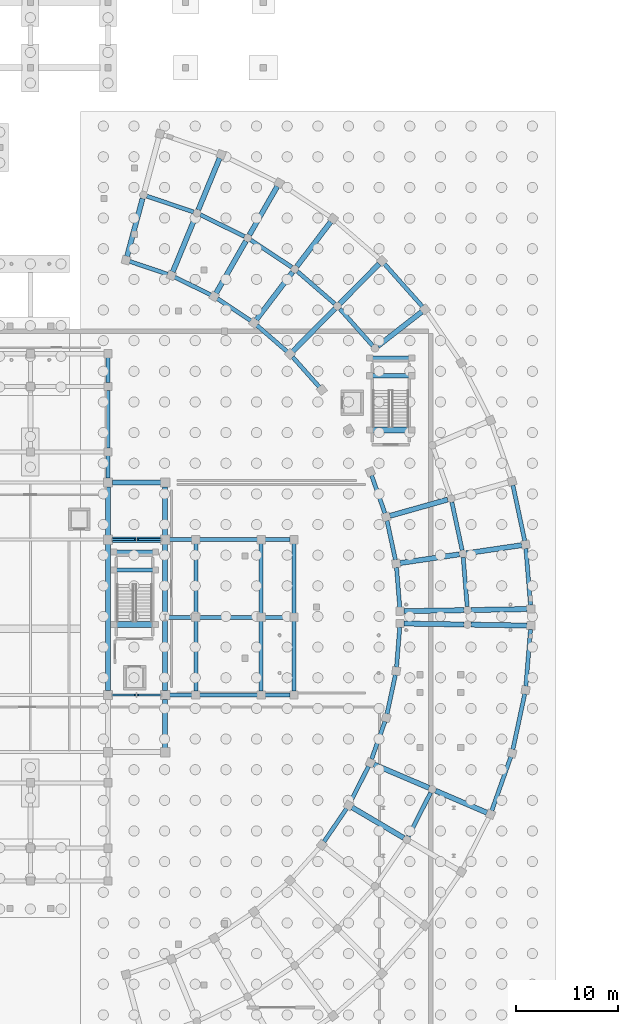
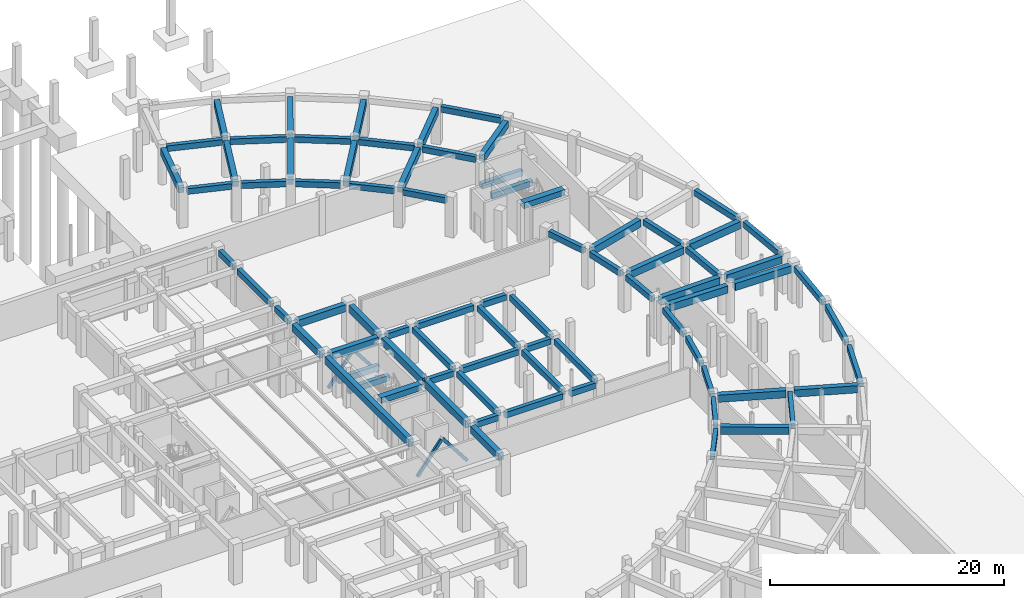
# One storey, part 20 of 33: 79 beams, 4 members.
"""IFC4 building model written with IfcOpenShell, lengths in metres."""

from ifc_helpers import new_model, si_unit, direction, frame, origin, origin_2d, place, context, subcontext, project, spatial, rectangle, hollow_rectangle, extrude, material, material_profile, profile_set, type_object, element, save


model = new_model("IFC4")

# Units and contexts
model_context = context("Model", 3, precision=1e-05, world=origin(), true_north=direction((0.0, 1.0)))
body_context = subcontext(model_context, "Body", "Model", "MODEL_VIEW")
ifc_project = project(units=[si_unit("LENGTHUNIT", "METRE"), si_unit("AREAUNIT", "SQUARE_METRE"), si_unit("VOLUMEUNIT", "CUBIC_METRE"), si_unit("PLANEANGLEUNIT", "RADIAN"), si_unit("MASSUNIT", "GRAM", prefix="KILO")], contexts=[model_context])

# Site, building, storey
site_placement = place(None, origin())
site = spatial("IfcSite", under=ifc_project, at=site_placement, CompositionType="ELEMENT")
building_placement = place(site_placement, origin())
building = spatial("IfcBuilding", under=site, at=building_placement, Name="Saryqyr Civic Hall", CompositionType="ELEMENT")
storey_placement = place(building_placement, frame((0.0, 0.0, -4.199951171875)))
storey = spatial("IfcBuildingStorey", under=building, at=storey_placement, Name="B1", CompositionType="ELEMENT", Elevation=-4.199951171875)

# Beams
ifc_material_1 = material(Name="Concrete C35/45", Category="concrete")
ifc_material_profile_1 = material_profile(ifc_material_1, rectangle(XDim=0.39990234375, YDim=0.60009765625, at=origin_2d()), Name="RC 400x600")
ifc_profile_set_1 = profile_set([ifc_material_profile_1], Name="Concrete C35/45")
beam_type_1 = type_object("IfcBeamType", Name="STR-BM-RC400x600", PredefinedType="BEAM", material=ifc_profile_set_1)
for number, where, z_axis, x_axis, name in (
    (1, (79.97509765625, 76.39990234375, 3.579833984375), (1.0, 0.0, 0.0), (0.0, 1.0, 0.0), "Beam V1-TBM-04-B1"),
    (2, (79.97509765625, 84.0, 3.579833984375), (1.0, 0.0, 0.0), (0.0, 1.0, 0.0), "Beam V1-TBM-05-B1"),
    (3, (79.97509765625, 91.60009765625, 3.579833984375), (1.0, 0.0, 0.0), (0.0, 1.0, 0.0), "Beam V1-TBM-06-B1"),
    (4, (64.60009765625, 106.97509765625, 3.579833984375), (0.0, 1.0, 0.0), (-1.0, 0.0, 0.0), "Beam V1-TBM-12-B1"),
):
    element("IfcBeam", number, at=place(storey_placement, frame(where, z_axis=z_axis, x_axis=x_axis)), inside=storey, type_object=beam_type_1, Name=name, PredefinedType="BEAM", context=body_context, shape_type="SweptSolid", body=[
        extrude(rectangle(XDim=0.39990234375, YDim=0.60009765625, at=origin_2d()), origin(), (0.0, 0.0, 1.0), 2.449951171875),
    ])
for number, where, z_axis, x_axis, name in (
    (5, (82.800048828125, 76.77490234375, 3.579833984375), (0.0, 1.0, 0.0), (-1.0, 0.0, 0.0), "Beam V1-TBM-15-B1"),
    (6, (82.800048828125, 84.375, 3.579833984375), (0.0, 1.0, 0.0), (-1.0, 0.0, 0.0), "Beam V1-TBM-16-B1"),
):
    element("IfcBeam", number, at=place(storey_placement, frame(where, z_axis=z_axis, x_axis=x_axis)), inside=storey, type_object=beam_type_1, Name=name, PredefinedType="BEAM", context=body_context, shape_type="SweptSolid", body=[
        extrude(rectangle(XDim=0.39990234375, YDim=0.60009765625, at=origin_2d()), origin(), (0.0, 0.0, 1.0), 6.85009765625),
    ])
for number, where, z_axis, x_axis, name in (
    (7, (73.574951171875, 76.39990234375, 3.579833984375), (1.0, 0.0, 0.0), (0.0, 1.0, 0.0), "Beam V1-TBM-24-B1"),
    (8, (73.574951171875, 84.0, 3.579833984375), (1.0, 0.0, 0.0), (0.0, 1.0, 0.0), "Beam V1-TBM-25-B1"),
    (9, (73.574951171875, 91.60009765625, 3.579833984375), (1.0, 0.0, 0.0), (0.0, 1.0, 0.0), "Beam V1-TBM-26-B1"),
    (10, (64.60009765625, 100.574951171875, 3.579833984375), (0.0, 1.0, 0.0), (-1.0, 0.0, 0.0), "Beam V1-TBM-32-B1"),
):
    element("IfcBeam", number, at=place(storey_placement, frame(where, z_axis=z_axis, x_axis=x_axis)), inside=storey, type_object=beam_type_1, Name=name, PredefinedType="BEAM", context=body_context, shape_type="SweptSolid", body=[
        extrude(rectangle(XDim=0.39990234375, YDim=0.60009765625, at=origin_2d()), origin(), (0.0, 0.0, 1.0), 5.650146484375),
    ])
for number, where, z_axis, x_axis, name in (
    (11, (79.60009765625, 76.77490234375, 3.579833984375), (0.0, 1.0, 0.0), (-1.0, 0.0, 0.0), "Beam V1-TBM-35-B1"),
    (12, (79.60009765625, 84.375, 3.579833984375), (0.0, 1.0, 0.0), (-1.0, 0.0, 0.0), "Beam V1-TBM-36-B1"),
):
    element("IfcBeam", number, at=place(storey_placement, frame(where, z_axis=z_axis, x_axis=x_axis)), inside=storey, type_object=beam_type_1, Name=name, PredefinedType="BEAM", context=body_context, shape_type="SweptSolid", body=[
        extrude(rectangle(XDim=0.39990234375, YDim=0.60009765625, at=origin_2d()), origin(), (0.0, 0.0, 1.0), 6.85009765625),
    ])
beam_1_placement = place(storey_placement, frame((70.625, 76.39990234375, 3.579833984375), z_axis=(1.0, 0.0, 0.0), x_axis=(0.0, 1.0, 0.0)))
element("IfcBeam", 13, at=beam_1_placement, inside=storey, type_object=beam_type_1, Name="Beam V1-TBM-44-B1", PredefinedType="BEAM", context=body_context, shape_type="SweptSolid", body=[
    extrude(rectangle(XDim=0.39990234375, YDim=0.60009765625, at=origin_2d()), origin(), (0.0, 0.0, 1.0), 2.199951171875),
])
beam_2_placement = place(storey_placement, frame((70.324951171875, 84.0, 3.579833984375), z_axis=(1.0, 0.0, 0.0), x_axis=(0.0, 1.0, 0.0)))
element("IfcBeam", 14, at=beam_2_placement, inside=storey, type_object=beam_type_1, Name="Beam V1-TBM-45-B1", PredefinedType="BEAM", context=body_context, shape_type="SweptSolid", body=[
    extrude(rectangle(XDim=0.39990234375, YDim=0.60009765625, at=origin_2d()), origin(), (0.0, 0.0, 1.0), 2.5),
])
for number, where, z_axis, x_axis, name in (
    (15, (70.625, 91.60009765625, 3.579833984375), (1.0, 0.0, 0.0), (0.0, 1.0, 0.0), "Beam V1-TBM-46-B1"),
    (16, (64.60009765625, 97.625, 3.579833984375), (0.0, 1.0, 0.0), (-1.0, 0.0, 0.0), "Beam V1-TBM-50-B1"),
):
    element("IfcBeam", number, at=place(storey_placement, frame(where, z_axis=z_axis, x_axis=x_axis)), inside=storey, type_object=beam_type_1, Name=name, PredefinedType="BEAM", context=body_context, shape_type="SweptSolid", body=[
        extrude(rectangle(XDim=0.39990234375, YDim=0.60009765625, at=origin_2d()), origin(), (0.0, 0.0, 1.0), 2.199951171875),
    ])
for number, where, z_axis, x_axis, name in (
    (17, (73.199951171875, 76.77490234375, 3.579833984375), (0.0, 1.0, 0.0), (-1.0, 0.0, 0.0), "Beam V1-TBM-53-B1"),
    (18, (73.199951171875, 84.375, 3.579833984375), (0.0, 1.0, 0.0), (-1.0, 0.0, 0.0), "Beam V1-TBM-54-B1"),
):
    element("IfcBeam", number, at=place(storey_placement, frame(where, z_axis=z_axis, x_axis=x_axis)), inside=storey, type_object=beam_type_1, Name=name, PredefinedType="BEAM", context=body_context, shape_type="SweptSolid", body=[
        extrude(rectangle(XDim=0.39990234375, YDim=0.60009765625, at=origin_2d()), origin(), (0.0, 0.0, 1.0), 6.85009765625),
    ])
beam_3_placement = place(storey_placement, frame((94.009521484375, 62.54443359375, 3.579833984375), z_axis=(0.4519004071, 0.892068395395, 0.0), x_axis=(-0.892068395395, 0.4519004071, 0.0)))
element("IfcBeam", 19, at=beam_3_placement, inside=storey, type_object=beam_type_1, Name="Beam V5-CBM-MID06-B1", PredefinedType="BEAM", context=body_context, shape_type="SweptSolid", body=[
    extrude(rectangle(XDim=0.39990234375, YDim=0.60009765625, at=origin_2d()), origin(), (0.0, 0.0, 1.0), 4.82763671875),
])
beam_4_placement = place(storey_placement, frame((99.765625, 85.058349609375, 3.579833984375), z_axis=(-0.081061627259, 0.996709091253, 0.0), x_axis=(-0.996709091253, -0.081061627259, 0.0)))
element("IfcBeam", 20, at=beam_4_placement, inside=storey, type_object=beam_type_1, Name="Beam V6-CBM-MID00-B1", PredefinedType="BEAM", context=body_context, shape_type="SweptSolid", body=[
    extrude(rectangle(XDim=0.39990234375, YDim=0.60009765625, at=origin_2d()), origin(), (0.0, 0.0, 1.0), 4.827880859375),
])
beam_5_placement = place(storey_placement, frame((99.272705078125, 90.561279296875, 3.579833984375), z_axis=(-0.208907397295, 0.977935426987, 0.0), x_axis=(-0.977935426987, -0.208907397295, 0.0)))
element("IfcBeam", 21, at=beam_5_placement, inside=storey, type_object=beam_type_1, Name="Beam V6-CBM-MID01-B1", PredefinedType="BEAM", context=body_context, shape_type="SweptSolid", body=[
    extrude(rectangle(XDim=0.39990234375, YDim=0.60009765625, at=origin_2d()), origin(), (0.0, 0.0, 1.0), 4.82763671875),
])
beam_6_placement = place(storey_placement, frame((90.505615234375, 110.596923828125, 3.579833984375), z_axis=(-0.664931763448, 0.746904110284, 0.0), x_axis=(-0.746904110284, -0.664931763448, 0.0)))
element("IfcBeam", 22, at=beam_6_placement, inside=storey, type_object=beam_type_1, Name="Beam V6-CBM-MID05-B1", PredefinedType="BEAM", context=body_context, shape_type="SweptSolid", body=[
    extrude(rectangle(XDim=0.39990234375, YDim=0.60009765625, at=origin_2d()), origin(), (0.0, 0.0, 1.0), 4.827880859375),
])
for number, where, z_axis, x_axis, name in (
    (23, (86.79833984375, 114.693359375, 3.579833984375), (-0.755632347986, 0.654995995925, 0.0), (-0.654995995925, -0.755632347986, 0.0), "Beam V6-CBM-MID06-B1"),
    (24, (82.593994140625, 118.27783203125, 3.579833984375), (-0.833757954483, 0.552130123555, 0.0), (-0.552130123555, -0.833757954483, 0.0), "Beam V6-CBM-MID07-B1"),
    (25, (77.962646484375, 121.29052734375, 3.579833984375), (-0.897959126553, 0.440078864568, 0.0), (-0.440078864568, -0.897959126553, 0.0), "Beam V6-CBM-MID08-B1"),
    (26, (72.981689453125, 123.681396484375, 3.579833984375), (-0.947191159228, 0.320669468268, 0.0), (-0.320669468268, -0.947191159228, 0.0), "Beam V6-CBM-MID09-B1"),
):
    element("IfcBeam", number, at=place(storey_placement, frame(where, z_axis=z_axis, x_axis=x_axis)), inside=storey, type_object=beam_type_1, Name=name, PredefinedType="BEAM", context=body_context, shape_type="SweptSolid", body=[
        extrude(rectangle(XDim=0.39990234375, YDim=0.60009765625, at=origin_2d()), origin(), (0.0, 0.0, 1.0), 4.82763671875),
    ])
for number, where, z_axis, x_axis, name in (
    (27, (69.199951171875, 88.64990234375, 1.599853515625), (-1.0, 0.0, 0.0), (0.0, -1.0, 0.0), "Stair half-landing support beam ST-2-LND1-B1"),
    (28, (69.199951171875, 90.3798828125, 1.599853515625), (-1.0, 0.0, 0.0), (0.0, -1.0, 0.0), "Stair half-landing support beam ST-2-LND2-B1"),
):
    element("IfcBeam", number, at=place(storey_placement, frame(where, z_axis=z_axis, x_axis=x_axis)), inside=storey, type_object=beam_type_1, Name=name, PredefinedType="BEAM", context=body_context, shape_type="SweptSolid", body=[
        extrude(rectangle(XDim=0.39990234375, YDim=0.60009765625, at=origin_2d()), origin(), (0.0, 0.0, 1.0), 4.0),
    ])
for number, where, z_axis, x_axis, name in (
    (29, (94.300048828125, 107.64990234375, 1.599853515625), (-1.0, 0.0, 0.0), (0.0, -1.0, 0.0), "Stair half-landing support beam ST-6-LND1-B1"),
    (30, (94.300048828125, 109.3798828125, 1.599853515625), (-1.0, 0.0, 0.0), (0.0, -1.0, 0.0), "Stair half-landing support beam ST-6-LND2-B1"),
):
    element("IfcBeam", number, at=place(storey_placement, frame(where, z_axis=z_axis, x_axis=x_axis)), inside=storey, type_object=beam_type_1, Name=name, PredefinedType="BEAM", context=body_context, shape_type="SweptSolid", body=[
        extrude(rectangle(XDim=0.39990234375, YDim=0.60009765625, at=origin_2d()), origin(), (0.0, 0.0, 1.0), 4.0400390625),
    ])
ifc_material_profile_2 = material_profile(ifc_material_1, rectangle(XDim=0.39990234375, YDim=0.60009765625, at=origin_2d()), Name="RC 400x600")
ifc_profile_set_2 = profile_set([ifc_material_profile_2], Name="Concrete C35/45")
beam_type_2 = type_object("IfcBeamType", Name="STR-BM-RC400x600-EXT", PredefinedType="BEAM", material=ifc_profile_set_2)
for number, where, z_axis, x_axis, name in (
    (31, (85.746826171875, 62.035400390625, 3.579833984375), (0.563139950925, 0.826361540533, 0.0), (-0.826361540533, 0.563139950925, 0.0), "Beam V5-CBM-IN05-B1"),
    (32, (88.337890625, 65.923583984375, 3.579833984375), (0.451934437164, 0.892051155767, 0.0), (-0.892051155767, 0.451934437164, 0.0), "Beam V5-CBM-IN06-B1"),
    (33, (90.40625, 70.11328125, 3.579833984375), (0.33324952701, 0.942838667402, 0.0), (-0.942838667402, 0.33324952701, 0.0), "Beam V5-CBM-IN07-B1"),
):
    element("IfcBeam", number, at=place(storey_placement, frame(where, z_axis=z_axis, x_axis=x_axis)), inside=storey, type_object=beam_type_2, Name=name, PredefinedType="BEAM", context=body_context, shape_type="SweptSolid", body=[
        extrude(rectangle(XDim=0.39990234375, YDim=0.60009765625, at=origin_2d()), origin(), (0.0, 0.0, 1.0), 3.92529296875),
    ])
beam_7_placement = place(storey_placement, frame((102.17431640625, 65.077880859375, 3.579833984375), z_axis=(0.33321840695, 0.942849666315, 0.0), x_axis=(-0.942849666315, 0.33321840695, 0.0)))
element("IfcBeam", 34, at=beam_7_placement, inside=storey, type_object=beam_type_2, Name="Beam V5-CBM-OUT07-B1", PredefinedType="BEAM", context=body_context, shape_type="SweptSolid", body=[
    extrude(rectangle(XDim=0.39990234375, YDim=0.60009765625, at=origin_2d()), origin(), (0.0, 0.0, 1.0), 5.57861328125),
])
beam_8_placement = place(storey_placement, frame((91.91748046875, 74.534423828125, 3.579833984375), z_axis=(0.208908929035, 0.977935099774, 0.0), x_axis=(-0.977935099774, 0.208908929035, 0.0)))
element("IfcBeam", 35, at=beam_8_placement, inside=storey, type_object=beam_type_2, Name="Beam V5-CBM-IN08-B1", PredefinedType="BEAM", context=body_context, shape_type="SweptSolid", body=[
    extrude(rectangle(XDim=0.39990234375, YDim=0.60009765625, at=origin_2d()), origin(), (0.0, 0.0, 1.0), 3.925537109375),
])
beam_9_placement = place(storey_placement, frame((104.236328125, 71.057861328125, 3.579833984375), z_axis=(0.208892417371, 0.977938626891, 0.0), x_axis=(-0.977938626891, 0.208892417371, 0.0)))
element("IfcBeam", 36, at=beam_9_placement, inside=storey, type_object=beam_type_2, Name="Beam V5-CBM-OUT08-B1", PredefinedType="BEAM", context=body_context, shape_type="SweptSolid", body=[
    extrude(rectangle(XDim=0.39990234375, YDim=0.60009765625, at=origin_2d()), origin(), (0.0, 0.0, 1.0), 5.578369140625),
])
beam_10_placement = place(storey_placement, frame((92.84619140625, 79.11376953125, 3.579833984375), z_axis=(0.081109806781, 0.996705171675, 0.0), x_axis=(-0.996705171675, 0.081109806781, 0.0)))
element("IfcBeam", 37, at=beam_10_placement, inside=storey, type_object=beam_type_2, Name="Beam V5-CBM-IN09-B1", PredefinedType="BEAM", context=body_context, shape_type="SweptSolid", body=[
    extrude(rectangle(XDim=0.39990234375, YDim=0.60009765625, at=origin_2d()), origin(), (0.0, 0.0, 1.0), 3.925048828125),
])
beam_11_placement = place(storey_placement, frame((105.510498046875, 77.25390625, 3.579833984375), z_axis=(0.081100255709, 0.996705948876, 0.0), x_axis=(-0.996705948876, 0.081100255709, 0.0)))
element("IfcBeam", 38, at=beam_11_placement, inside=storey, type_object=beam_type_2, Name="Beam V5-CBM-OUT09-B1", PredefinedType="BEAM", context=body_context, shape_type="SweptSolid", body=[
    extrude(rectangle(XDim=0.39990234375, YDim=0.60009765625, at=origin_2d()), origin(), (0.0, 0.0, 1.0), 5.578125),
])
beam_12_placement = place(storey_placement, frame((93.16455078125, 84.97412109375, 3.579833984375), z_axis=(-0.081109806781, 0.996705171675, 0.0), x_axis=(-0.996705171675, -0.081109806781, 0.0)))
element("IfcBeam", 39, at=beam_12_placement, inside=storey, type_object=beam_type_2, Name="Beam V6-CBM-IN00-B1", PredefinedType="BEAM", context=body_context, shape_type="SweptSolid", body=[
    extrude(rectangle(XDim=0.39990234375, YDim=0.60009765625, at=origin_2d()), origin(), (0.0, 0.0, 1.0), 3.925048828125),
])
beam_13_placement = place(storey_placement, frame((105.962890625, 85.186279296875, 3.579833984375), z_axis=(-0.081100255709, 0.996705948876, 0.0), x_axis=(-0.996705948876, -0.081100255709, 0.0)))
element("IfcBeam", 40, at=beam_13_placement, inside=storey, type_object=beam_type_2, Name="Beam V6-CBM-OUT00-B1", PredefinedType="BEAM", context=body_context, shape_type="SweptSolid", body=[
    extrude(rectangle(XDim=0.39990234375, YDim=0.60009765625, at=origin_2d()), origin(), (0.0, 0.0, 1.0), 5.578125),
])
beam_14_placement = place(storey_placement, frame((92.737548828125, 89.626708984375, 3.579833984375), z_axis=(-0.208908929035, 0.977935099774, 0.0), x_axis=(-0.977935099774, -0.208908929035, 0.0)))
element("IfcBeam", 41, at=beam_14_placement, inside=storey, type_object=beam_type_2, Name="Beam V6-CBM-IN01-B1", PredefinedType="BEAM", context=body_context, shape_type="SweptSolid", body=[
    extrude(rectangle(XDim=0.39990234375, YDim=0.60009765625, at=origin_2d()), origin(), (0.0, 0.0, 1.0), 3.925537109375),
])
beam_15_placement = place(storey_placement, frame((105.401611328125, 91.48681640625, 3.579833984375), z_axis=(-0.208892417371, 0.977938626891, 0.0), x_axis=(-0.977938626891, -0.208892417371, 0.0)))
element("IfcBeam", 42, at=beam_15_placement, inside=storey, type_object=beam_type_2, Name="Beam V6-CBM-OUT01-B1", PredefinedType="BEAM", context=body_context, shape_type="SweptSolid", body=[
    extrude(rectangle(XDim=0.39990234375, YDim=0.60009765625, at=origin_2d()), origin(), (0.0, 0.0, 1.0), 5.578369140625),
])
for number, where, z_axis, x_axis, name in (
    (43, (91.71435546875, 94.185791015625, 3.579833984375), (-0.33324952701, 0.942838667402, 0.0), (-0.942838667402, -0.33324952701, 0.0), "Beam V6-CBM-IN02-B1"),
    (44, (85.286376953125, 106.5546875, 3.579833984375), (-0.664962016437, 0.746877176446, 0.0), (-0.746877176446, -0.664962016437, 0.0), "Beam V6-CBM-IN05-B1"),
):
    element("IfcBeam", number, at=place(storey_placement, frame(where, z_axis=z_axis, x_axis=x_axis)), inside=storey, type_object=beam_type_2, Name=name, PredefinedType="BEAM", context=body_context, shape_type="SweptSolid", body=[
        extrude(rectangle(XDim=0.39990234375, YDim=0.60009765625, at=origin_2d()), origin(), (0.0, 0.0, 1.0), 3.92529296875),
    ])
beam_16_placement = place(storey_placement, frame((95.376220703125, 114.4306640625, 3.579833984375), z_axis=(-0.664931393167, 0.746904439926, 0.0), x_axis=(-0.746904439926, -0.664931393167, 0.0)))
element("IfcBeam", 45, at=beam_16_placement, inside=storey, type_object=beam_type_2, Name="Beam V6-CBM-OUT05-B1", PredefinedType="BEAM", context=body_context, shape_type="SweptSolid", body=[
    extrude(rectangle(XDim=0.39990234375, YDim=0.60009765625, at=origin_2d()), origin(), (0.0, 0.0, 1.0), 5.578369140625),
])
beam_17_placement = place(storey_placement, frame((82.1435546875, 110.01220703125, 3.579833984375), z_axis=(-0.755662402658, 0.654961321919, 0.0), x_axis=(-0.654961321919, -0.755662402658, 0.0)))
element("IfcBeam", 46, at=beam_17_placement, inside=storey, type_object=beam_type_2, Name="Beam V6-CBM-IN06-B1", PredefinedType="BEAM", context=body_context, shape_type="SweptSolid", body=[
    extrude(rectangle(XDim=0.39990234375, YDim=0.60009765625, at=origin_2d()), origin(), (0.0, 0.0, 1.0), 3.925048828125),
])
for number, where, z_axis, x_axis, name in (
    (47, (78.581298828125, 113.03564453125, 3.579833984375), (-0.83375915451, 0.55212831142, 0.0), (-0.55212831142, -0.83375915451, 0.0), "Beam V6-CBM-IN07-B1"),
    (48, (74.6591796875, 115.574951171875, 3.579833984375), (-0.897944339492, 0.440109035551, 0.0), (-0.440109035551, -0.897944339492, 0.0), "Beam V6-CBM-IN08-B1"),
    (49, (70.4423828125, 117.587646484375, 3.579833984375), (-0.947205217556, 0.320627939885, 0.0), (-0.320627939885, -0.947205217556, 0.0), "Beam V6-CBM-IN09-B1"),
):
    element("IfcBeam", number, at=place(storey_placement, frame(where, z_axis=z_axis, x_axis=x_axis)), inside=storey, type_object=beam_type_2, Name=name, PredefinedType="BEAM", context=body_context, shape_type="SweptSolid", body=[
        extrude(rectangle(XDim=0.39990234375, YDim=0.60009765625, at=origin_2d()), origin(), (0.0, 0.0, 1.0), 3.92529296875),
    ])
ifc_material_2 = material(Name="Concrete C40/50", Category="concrete")
ifc_material_profile_3 = material_profile(ifc_material_2, rectangle(XDim=0.5, YDim=0.75, at=origin_2d()), Name="RC 500x750")
ifc_profile_set_3 = profile_set([ifc_material_profile_3], Name="Concrete C40/50")
beam_type_3 = type_object("IfcBeamType", Name="STR-BM-RC500x750", PredefinedType="BEAM", material=ifc_profile_set_3)
for number, where, z_axis, x_axis, name in (
    (50, (65.02490234375, 91.60009765625, 3.5048828125), (1.0, 0.0, 0.0), (0.0, 1.0, 0.0), "Beam V1-WBM-E3-B1"),
    (51, (65.02490234375, 97.199951171875, 3.5048828125), (1.0, 0.0, 0.0), (0.0, 1.0, 0.0), "Beam V1-WBM-E4-B1"),
):
    element("IfcBeam", number, at=place(storey_placement, frame(where, z_axis=z_axis, x_axis=x_axis)), inside=storey, type_object=beam_type_3, Name=name, PredefinedType="BEAM", context=body_context, shape_type="SweptSolid", body=[
        extrude(rectangle(XDim=0.5, YDim=0.75, at=origin_2d()), origin(), (0.0, 0.0, 1.0), 4.75),
    ])
beam_18_placement = place(storey_placement, frame((64.60009765625, 76.824951171875, 3.5048828125), z_axis=(0.0, 1.0, 0.0), x_axis=(-1.0, 0.0, 0.0)))
element("IfcBeam", 52, at=beam_18_placement, inside=storey, type_object=beam_type_3, Name="Beam V1-BM-NS32-B1", PredefinedType="BEAM", context=body_context, shape_type="SweptSolid", body=[
    extrude(rectangle(XDim=0.5, YDim=0.75, at=origin_2d()), origin(), (0.0, 0.0, 1.0), 14.35009765625),
])
for number, where, z_axis, x_axis, name in (
    (53, (64.60009765625, 92.02490234375, 3.5048828125), (0.0, 1.0, 0.0), (-1.0, 0.0, 0.0), "Beam V1-BM-NS33-B1"),
    (54, (70.199951171875, 71.22509765625, 3.5048828125), (0.0, 1.0, 0.0), (-1.0, 0.0, 0.0), "Beam V1-BM-NS41-B1"),
):
    element("IfcBeam", number, at=place(storey_placement, frame(where, z_axis=z_axis, x_axis=x_axis)), inside=storey, type_object=beam_type_3, Name=name, PredefinedType="BEAM", context=body_context, shape_type="SweptSolid", body=[
        extrude(rectangle(XDim=0.5, YDim=0.75, at=origin_2d()), origin(), (0.0, 0.0, 1.0), 4.75),
    ])
for number, where, z_axis, x_axis, name in (
    (55, (70.199951171875, 76.824951171875, 3.5048828125), (0.0, 1.0, 0.0), (-1.0, 0.0, 0.0), "Beam V1-BM-NS4A-B1"),
    (56, (70.199951171875, 84.125, 3.5048828125), (0.0, 1.0, 0.0), (-1.0, 0.0, 0.0), "Beam V1-BM-NS4B-B1"),
):
    element("IfcBeam", number, at=place(storey_placement, frame(where, z_axis=z_axis, x_axis=x_axis)), inside=storey, type_object=beam_type_3, Name=name, PredefinedType="BEAM", context=body_context, shape_type="SweptSolid", body=[
        extrude(rectangle(XDim=0.5, YDim=0.75, at=origin_2d()), origin(), (0.0, 0.0, 1.0), 7.050048828125),
    ])
beam_19_placement = place(storey_placement, frame((70.199951171875, 92.02490234375, 3.5048828125), z_axis=(0.0, 1.0, 0.0), x_axis=(-1.0, 0.0, 0.0)))
element("IfcBeam", 57, at=beam_19_placement, inside=storey, type_object=beam_type_3, Name="Beam V1-BM-NS43-B1", PredefinedType="BEAM", context=body_context, shape_type="SweptSolid", body=[
    extrude(rectangle(XDim=0.5, YDim=0.75, at=origin_2d()), origin(), (0.0, 0.0, 1.0), 4.75),
])
beam_20_placement = place(storey_placement, frame((88.491455078125, 65.398193359375, 3.5048828125), z_axis=(0.861018346763, -0.508573894864, 0.0), x_axis=(0.508573894864, 0.861018346763, 0.0)))
element("IfcBeam", 58, at=beam_20_placement, inside=storey, type_object=beam_type_3, Name="Beam V5-RBM-A06-B1", PredefinedType="BEAM", context=body_context, shape_type="SweptSolid", body=[
    extrude(rectangle(XDim=0.5, YDim=0.75, at=origin_2d()), origin(), (0.0, 0.0, 1.0), 5.874755859375),
])
beam_21_placement = place(storey_placement, frame((90.626220703125, 69.612060546875, 3.5048828125), z_axis=(0.919381302824, -0.393367538082, 0.0), x_axis=(0.393367538082, 0.919381302824, 0.0)))
element("IfcBeam", 59, at=beam_21_placement, inside=storey, type_object=beam_type_3, Name="Beam V5-RBM-A07-B1", PredefinedType="BEAM", context=body_context, shape_type="SweptSolid", body=[
    extrude(rectangle(XDim=0.5, YDim=0.75, at=origin_2d()), origin(), (0.0, 0.0, 1.0), 5.875),
])
beam_22_placement = place(storey_placement, frame((96.671142578125, 67.025634765625, 3.5048828125), z_axis=(0.91936861433, -0.393397192396, 0.0), x_axis=(0.393397192396, 0.91936861433, 0.0)))
element("IfcBeam", 60, at=beam_22_placement, inside=storey, type_object=beam_type_3, Name="Beam V5-RBM-B07-B1", PredefinedType="BEAM", context=body_context, shape_type="SweptSolid", body=[
    extrude(rectangle(XDim=0.5, YDim=0.75, at=origin_2d()), origin(), (0.0, 0.0, 1.0), 5.474853515625),
])
beam_23_placement = place(storey_placement, frame((93.56982421875, 83.3935546875, 3.5048828125), z_axis=(0.999862532862, -0.016580572321, 0.0), x_axis=(0.016580572321, 0.999862532862, 0.0)))
element("IfcBeam", 61, at=beam_23_placement, inside=storey, type_object=beam_type_3, Name="Beam V5-RBM-A10-B1", PredefinedType="BEAM", context=body_context, shape_type="SweptSolid", body=[
    extrude(rectangle(XDim=0.5, YDim=0.75, at=origin_2d()), origin(), (0.0, 0.0, 1.0), 5.875),
])
beam_24_placement = place(storey_placement, frame((100.14404296875, 83.28466796875, 3.5048828125), z_axis=(0.999862412553, -0.01658782578, 0.0), x_axis=(0.01658782578, 0.999862412553, 0.0)))
element("IfcBeam", 62, at=beam_24_placement, inside=storey, type_object=beam_type_3, Name="Beam V5-RBM-B10-B1", PredefinedType="BEAM", context=body_context, shape_type="SweptSolid", body=[
    extrude(rectangle(XDim=0.5, YDim=0.75, at=origin_2d()), origin(), (0.0, 0.0, 1.0), 5.47509765625),
])
beam_25_placement = place(storey_placement, frame((93.56982421875, 84.6064453125, 3.5048828125), z_axis=(0.999862532862, 0.016580572321, 0.0), x_axis=(-0.016580572321, 0.999862532862, 0.0)))
element("IfcBeam", 63, at=beam_25_placement, inside=storey, type_object=beam_type_3, Name="Beam V6-RBM-A00-B1", PredefinedType="BEAM", context=body_context, shape_type="SweptSolid", body=[
    extrude(rectangle(XDim=0.5, YDim=0.75, at=origin_2d()), origin(), (0.0, 0.0, 1.0), 5.875),
])
beam_26_placement = place(storey_placement, frame((100.14404296875, 84.71533203125, 3.5048828125), z_axis=(0.999862412553, 0.01658782578, 0.0), x_axis=(-0.01658782578, 0.999862412553, 0.0)))
element("IfcBeam", 64, at=beam_26_placement, inside=storey, type_object=beam_type_3, Name="Beam V6-RBM-B00-B1", PredefinedType="BEAM", context=body_context, shape_type="SweptSolid", body=[
    extrude(rectangle(XDim=0.5, YDim=0.75, at=origin_2d()), origin(), (0.0, 0.0, 1.0), 5.47509765625),
])
beam_27_placement = place(storey_placement, frame((93.186767578125, 89.314697265625, 3.5048828125), z_axis=(0.98939095551, 0.145277448883, 0.0), x_axis=(-0.145277448883, 0.98939095551, 0.0)))
element("IfcBeam", 65, at=beam_27_placement, inside=storey, type_object=beam_type_3, Name="Beam V6-RBM-A01-B1", PredefinedType="BEAM", context=body_context, shape_type="SweptSolid", body=[
    extrude(rectangle(XDim=0.5, YDim=0.75, at=origin_2d()), origin(), (0.0, 0.0, 1.0), 5.875),
])
beam_28_placement = place(storey_placement, frame((99.692138671875, 90.27001953125, 3.5048828125), z_axis=(0.989389886713, 0.145284727584, 0.0), x_axis=(-0.145284727584, 0.989389886713, 0.0)))
element("IfcBeam", 66, at=beam_28_placement, inside=storey, type_object=beam_type_3, Name="Beam V6-RBM-B01-B1", PredefinedType="BEAM", context=body_context, shape_type="SweptSolid", body=[
    extrude(rectangle(XDim=0.5, YDim=0.75, at=origin_2d()), origin(), (0.0, 0.0, 1.0), 5.474853515625),
])
beam_29_placement = place(storey_placement, frame((92.2001953125, 93.93408203125, 3.5048828125), z_axis=(0.962406512915, 0.27161315119, 0.0), x_axis=(-0.27161315119, 0.962406512915, 0.0)))
element("IfcBeam", 67, at=beam_29_placement, inside=storey, type_object=beam_type_3, Name="Beam V6-RBM-A02-B1", PredefinedType="BEAM", context=body_context, shape_type="SweptSolid", body=[
    extrude(rectangle(XDim=0.5, YDim=0.75, at=origin_2d()), origin(), (0.0, 0.0, 1.0), 5.875),
])
beam_30_placement = place(storey_placement, frame((91.014404296875, 110.551025390625, 3.5048828125), z_axis=(0.788265665567, 0.615335063594, 0.0), x_axis=(-0.615335063594, 0.788265665567, 0.0)))
element("IfcBeam", 68, at=beam_30_placement, inside=storey, type_object=beam_type_3, Name="Beam V6-RBM-B05-B1", PredefinedType="BEAM", context=body_context, shape_type="SweptSolid", body=[
    extrude(rectangle(XDim=0.5, YDim=0.75, at=origin_2d()), origin(), (0.0, 0.0, 1.0), 5.474853515625),
])
beam_31_placement = place(storey_placement, frame((82.690185546875, 110.033447265625, 3.5048828125), z_axis=(0.702416308315, 0.711766344957, 0.0), x_axis=(-0.711766344957, 0.702416308315, 0.0)))
element("IfcBeam", 69, at=beam_31_placement, inside=storey, type_object=beam_type_3, Name="Beam V6-RBM-A06-B1", PredefinedType="BEAM", context=body_context, shape_type="SweptSolid", body=[
    extrude(rectangle(XDim=0.5, YDim=0.75, at=origin_2d()), origin(), (0.0, 0.0, 1.0), 5.875),
])
beam_32_placement = place(storey_placement, frame((87.30859375, 114.71337890625, 3.5048828125), z_axis=(0.702409146473, 0.711773412647, 0.0), x_axis=(-0.711773412647, 0.702409146473, 0.0)))
element("IfcBeam", 70, at=beam_32_placement, inside=storey, type_object=beam_type_3, Name="Beam V6-RBM-B06-B1", PredefinedType="BEAM", context=body_context, shape_type="SweptSolid", body=[
    extrude(rectangle(XDim=0.5, YDim=0.75, at=origin_2d()), origin(), (0.0, 0.0, 1.0), 5.47509765625),
])
beam_33_placement = place(storey_placement, frame((79.120849609375, 113.127197265625, 3.5048828125), z_axis=(0.604802960265, 0.796375149822, 0.0), x_axis=(-0.796375149822, 0.604802960265, 0.0)))
element("IfcBeam", 71, at=beam_33_placement, inside=storey, type_object=beam_type_3, Name="Beam V6-RBM-A07-B1", PredefinedType="BEAM", context=body_context, shape_type="SweptSolid", body=[
    extrude(rectangle(XDim=0.5, YDim=0.75, at=origin_2d()), origin(), (0.0, 0.0, 1.0), 5.875),
])
beam_34_placement = place(storey_placement, frame((83.097412109375, 118.36328125, 3.5048828125), z_axis=(0.604783616815, 0.796389839734, 0.0), x_axis=(-0.796389839734, 0.604783616815, 0.0)))
element("IfcBeam", 72, at=beam_34_placement, inside=storey, type_object=beam_type_3, Name="Beam V6-RBM-B07-B1", PredefinedType="BEAM", context=body_context, shape_type="SweptSolid", body=[
    extrude(rectangle(XDim=0.5, YDim=0.75, at=origin_2d()), origin(), (0.0, 0.0, 1.0), 5.47509765625),
])
beam_35_placement = place(storey_placement, frame((75.182373046875, 115.7353515625, 3.5048828125), z_axis=(0.497127635759, 0.867677424948, 0.0), x_axis=(-0.867677424948, 0.497127635759, 0.0)))
element("IfcBeam", 73, at=beam_35_placement, inside=storey, type_object=beam_type_3, Name="Beam V6-RBM-A08-B1", PredefinedType="BEAM", context=body_context, shape_type="SweptSolid", body=[
    extrude(rectangle(XDim=0.5, YDim=0.75, at=origin_2d()), origin(), (0.0, 0.0, 1.0), 5.875),
])
beam_36_placement = place(storey_placement, frame((78.450927734375, 121.440185546875, 3.5048828125), z_axis=(0.497099053625, 0.867693800188, 0.0), x_axis=(-0.867693800188, 0.497099053625, 0.0)))
element("IfcBeam", 74, at=beam_36_placement, inside=storey, type_object=beam_type_3, Name="Beam V6-RBM-B08-B1", PredefinedType="BEAM", context=body_context, shape_type="SweptSolid", body=[
    extrude(rectangle(XDim=0.5, YDim=0.75, at=origin_2d()), origin(), (0.0, 0.0, 1.0), 5.47509765625),
])
beam_37_placement = place(storey_placement, frame((70.940673828125, 117.814208984375, 3.5048828125), z_axis=(0.381157342836, 0.924510183828, 0.0), x_axis=(-0.924510183828, 0.381157342836, 0.0)))
element("IfcBeam", 75, at=beam_37_placement, inside=storey, type_object=beam_type_3, Name="Beam V6-RBM-A09-B1", PredefinedType="BEAM", context=body_context, shape_type="SweptSolid", body=[
    extrude(rectangle(XDim=0.5, YDim=0.75, at=origin_2d()), origin(), (0.0, 0.0, 1.0), 5.875),
])
beam_38_placement = place(storey_placement, frame((73.44677734375, 123.892578125, 3.5048828125), z_axis=(0.381126561604, 0.924522873725, 0.0), x_axis=(-0.924522873725, 0.381126561604, 0.0)))
element("IfcBeam", 76, at=beam_38_placement, inside=storey, type_object=beam_type_3, Name="Beam V6-RBM-B09-B1", PredefinedType="BEAM", context=body_context, shape_type="SweptSolid", body=[
    extrude(rectangle(XDim=0.5, YDim=0.75, at=origin_2d()), origin(), (0.0, 0.0, 1.0), 5.47509765625),
])
beam_39_placement = place(storey_placement, frame((66.46630859375, 119.32861328125, 3.5048828125), z_axis=(0.258810863021, 0.965928018634, 0.0), x_axis=(-0.965928018634, 0.258810863021, 0.0)))
element("IfcBeam", 77, at=beam_39_placement, inside=storey, type_object=beam_type_3, Name="Beam V6-RBM-A10-B1", PredefinedType="BEAM", context=body_context, shape_type="SweptSolid", body=[
    extrude(rectangle(XDim=0.5, YDim=0.75, at=origin_2d()), origin(), (0.0, 0.0, 1.0), 5.875),
])
ifc_material_profile_4 = material_profile(ifc_material_2, rectangle(XDim=0.60009765625, YDim=0.60009765625, at=origin_2d()), Name="RC 600x600")
ifc_profile_set_4 = profile_set([ifc_material_profile_4], Name="Concrete C40/50")
beam_type_4 = type_object("IfcBeamType", Name="STR-BM-RC600x600", PredefinedType="BEAM", material=ifc_profile_set_4)
beam_40_placement = place(storey_placement, frame((69.199951171875, 83.31494140625, 3.89990234375), z_axis=(-1.0, 0.0, 0.0), x_axis=(0.0, -1.0, 0.0)))
element("IfcBeam", 78, at=beam_40_placement, inside=storey, type_object=beam_type_4, Name="Stair well trimmer beam ST-2-L00", PredefinedType="BEAM", context=body_context, shape_type="SweptSolid", body=[
    extrude(rectangle(XDim=0.60009765625, YDim=0.60009765625, at=origin_2d()), origin(), (0.0, 0.0, 1.0), 4.0),
])
beam_41_placement = place(storey_placement, frame((94.300048828125, 102.3349609375, 3.89990234375), z_axis=(-1.0, 0.0, 0.0), x_axis=(0.0, -1.0, 0.0)))
element("IfcBeam", 79, at=beam_41_placement, inside=storey, type_object=beam_type_4, Name="Stair well trimmer beam ST-6-L00", PredefinedType="BEAM", context=body_context, shape_type="SweptSolid", body=[
    extrude(rectangle(XDim=0.60009765625, YDim=0.60009765625, at=origin_2d()), origin(), (0.0, 0.0, 1.0), 4.0400390625),
])

# Members
ifc_material_3 = material(Name="Steel S355", Category="steel")
ifc_material_profile_5 = material_profile(ifc_material_3, hollow_rectangle(XDim=0.199951171875, YDim=0.300048828125, WallThickness=0.01611328125, at=origin_2d()), Name="RHS 300x200x16")
ifc_profile_set_5 = profile_set([ifc_material_profile_5], Name="Steel S355")
member_type = type_object("IfcMemberType", Name="STR-BR-RHS300", PredefinedType="BRACE", material=ifc_profile_set_5)
for number, where, z_axis, x_axis, name in (
    (80, (64.9599609375, 76.39990234375, 0.119873046875), (0.613233302688, 0.0, 0.789901839771), (0.0, 1.0, 0.0), "Seismic chevron brace 2A B1"),
    (81, (69.840087890625, 76.39990234375, 0.119873046875), (-0.613233302688, 0.0, 0.789901839771), (0.0, -1.0, 0.0), "Seismic chevron brace 2B B1"),
    (82, (64.9599609375, 91.60009765625, 0.119873046875), (0.613233302688, 0.0, 0.789901839771), (0.0, 1.0, 0.0), "Seismic chevron brace 4A B1"),
    (83, (69.840087890625, 91.60009765625, 0.119873046875), (-0.613233302688, 0.0, 0.789901839771), (0.0, -1.0, 0.0), "Seismic chevron brace 4B B1"),
):
    element("IfcMember", number, at=place(storey_placement, frame(where, z_axis=z_axis, x_axis=x_axis)), inside=storey, type_object=member_type, Name=name, PredefinedType="BRACE", context=body_context, shape_type="SweptSolid", body=[
        extrude(hollow_rectangle(XDim=0.199951171875, YDim=0.300048828125, WallThickness=0.01611328125, at=origin_2d()), origin(), (0.0, 0.0, 1.0), 3.8486328125),
    ])

save(model, "model.ifc")
